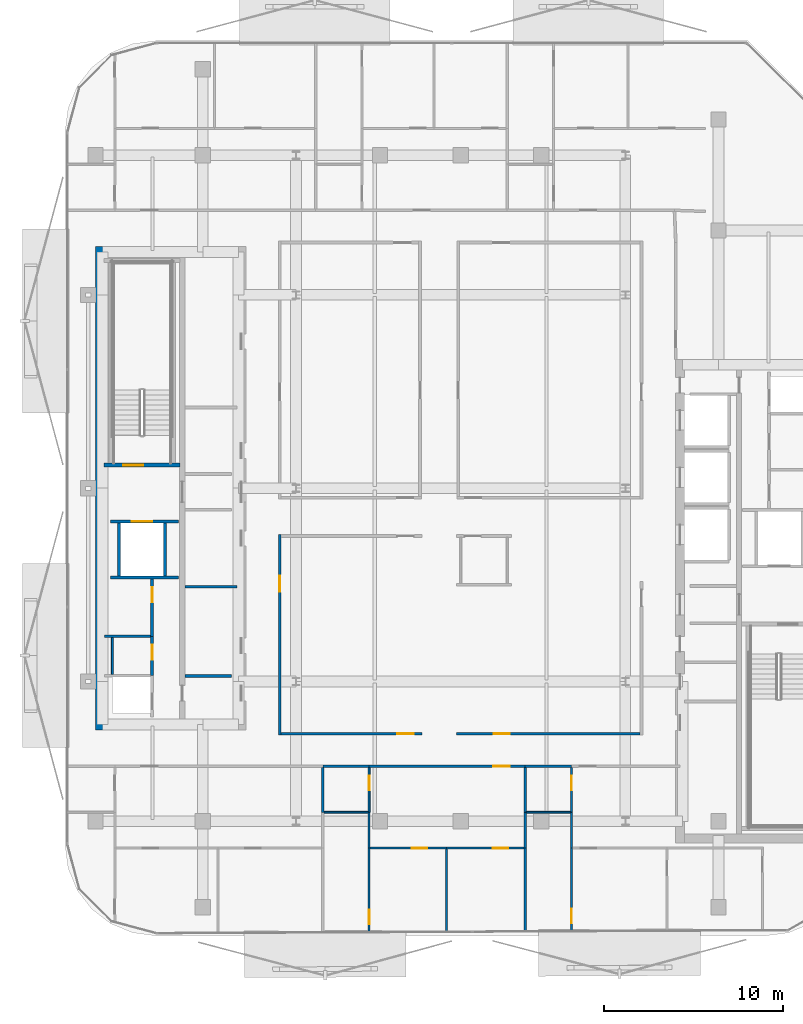
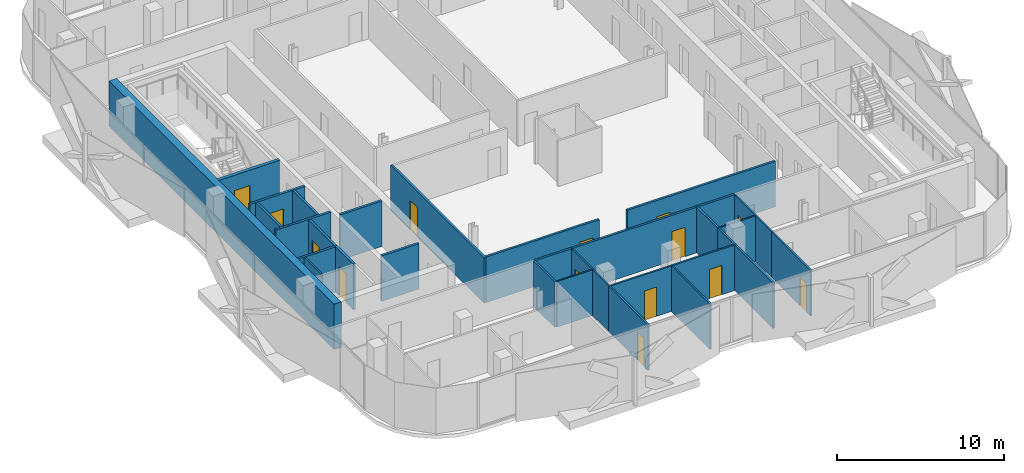
# One storey, part 3 of 16: 33 walls, 14 doors, 14 openings.
"""IFC4 building model written with IfcOpenShell, lengths in metres."""

from ifc_helpers import new_model, si_unit, direction, frame, frame_2d, origin, place, context, subcontext, project, spatial, rectangle, extrude, material, layer, layer_set, type_object, element, fill, save


model = new_model("IFC4")

# Units and contexts
model_context = context("Model", 3, precision=1e-05, world=origin(), true_north=direction((0.0, 1.0)))
body_context = subcontext(model_context, "Body", "Model", "MODEL_VIEW")
ifc_project = project(units=[si_unit("LENGTHUNIT", "METRE"), si_unit("AREAUNIT", "SQUARE_METRE"), si_unit("VOLUMEUNIT", "CUBIC_METRE"), si_unit("PLANEANGLEUNIT", "RADIAN"), si_unit("MASSUNIT", "GRAM", prefix="KILO")], contexts=[model_context])

# Site, building, storey
site_placement = place(None, origin())
site = spatial("IfcSite", under=ifc_project, at=site_placement, CompositionType="ELEMENT")
building_placement = place(site_placement, origin())
building = spatial("IfcBuilding", under=site, at=building_placement, Name="Khairoan Windgate Tower", CompositionType="ELEMENT")
storey_placement = place(building_placement, frame((0.0, 0.0, 247.60009765625)))
storey = spatial("IfcBuildingStorey", under=building, at=storey_placement, Name="L58", CompositionType="ELEMENT", Elevation=247.60009765625)

# Wall
ifc_material_1 = material(Name="Moisture-Resistant Gypsum Partition", Category="gypsum")
ifc_layer_1 = layer(ifc_material_1, 0.10009765625, Name="Moisture-Resistant Gypsum Partition")
ifc_layer_set_1 = layer_set([ifc_layer_1], Name="Moisture-Resistant Gypsum Partition")
wall_type_1 = type_object("IfcWallType", Name="Bathroom Wet-Area Partition Wall", PredefinedType="PARTITIONING", material=ifc_layer_set_1)
wall_1_placement = place(storey_placement, frame((-7.6298828125, -18.10009765625, 0.0), z_axis=(0.0, 0.0, 1.0), x_axis=(1.0, 0.0, 0.0)))
element("IfcWall", 1, at=wall_1_placement, inside=storey, type_object=wall_type_1, Name="L58 Interior Partition 081", PredefinedType="PARTITIONING", context=body_context, shape_type="SweptSolid", body=[
    extrude(rectangle(XDim=2.469970703125, YDim=0.10009765625, at=frame_2d((1.23486328125, 0.0))), origin(), (0.0, 0.0, 1.0), 3.33984375),
])

# Wall, opening, door
wall_2_placement = place(storey_placement, frame((-5.110107421875, -18.10009765625, 0.0), z_axis=(0.0, 0.0, 1.0), x_axis=(0.0, 1.0, 0.0)))
wall_2 = element("IfcWall", 2, at=wall_2_placement, inside=storey, type_object=wall_type_1, Name="L58 Interior Partition 082", PredefinedType="PARTITIONING", context=body_context, shape_type="SweptSolid", body=[
    extrude(rectangle(XDim=2.5, YDim=0.10009765625, at=frame_2d((1.25, 0.0))), origin(), (0.0, 0.0, 1.0), 3.33984375),
])
opening_1_placement = place(wall_2_placement, frame((1.239990234375, 0.0, 0.0)))
opening_1 = element("IfcOpeningElement", 3, at=opening_1_placement, cuts=wall_2, Name="Opening ID-BTH", PredefinedType="OPENING", context=body_context, shape_type="SweptSolid", body=[
    extrude(rectangle(XDim=0.800048828125, YDim=2.10009765625, at=frame_2d((0.39990234375, 1.050048828125))), frame((0.0, 0.06005859375, 0.0), z_axis=(0.0, -1.0, 0.0), x_axis=(1.0, 0.0, 0.0)), (0.0, 0.0, 1.0), 0.1201171875),
])
ifc_material_2 = material(Name="Teak Veneer Timber Leaf", Category="wood")
door_type_1 = type_object("IfcDoorType", Name="Internal Bathroom Door ID-BTH 800x2100", OperationType="NOTDEFINED", PredefinedType="DOOR", material=ifc_material_2)
door_1_placement = place(opening_1_placement, origin())
door_1 = element("IfcDoor", 4, at=door_1_placement, inside=storey, type_object=door_type_1, Name="L58 L58-55-L58-57 Door", OperationType="SINGLE_SWING_RIGHT", OverallHeight=2.10009765625, OverallWidth=0.800048828125, PredefinedType="DOOR", context=body_context, shape_type="SweptSolid", body=[
    extrude(rectangle(XDim=0.800048828125, YDim=2.10009765625, at=frame_2d((0.39990234375, 1.050048828125))), frame((0.0, 0.02490234375, 0.0), z_axis=(0.0, -1.0, 0.0), x_axis=(1.0, 0.0, 0.0)), (0.0, 0.0, 1.0), 0.050048828125),
])
fill(opening_1, door_1)

# Wall
wall_3_placement = place(storey_placement, frame((3.669921875, -18.10009765625, 0.0), z_axis=(0.0, 0.0, 1.0), x_axis=(1.0, 0.0, 0.0)))
element("IfcWall", 5, at=wall_3_placement, inside=storey, type_object=wall_type_1, Name="L58 Interior Partition 091", PredefinedType="PARTITIONING", context=body_context, shape_type="SweptSolid", body=[
    extrude(rectangle(XDim=2.469970703125, YDim=0.10009765625, at=frame_2d((1.23486328125, 0.0))), origin(), (0.0, 0.0, 1.0), 3.33984375),
])

# Wall, opening, door
wall_4_placement = place(storey_placement, frame((6.18994140625, -18.10009765625, 0.0), z_axis=(0.0, 0.0, 1.0), x_axis=(0.0, 1.0, 0.0)))
wall_4 = element("IfcWall", 6, at=wall_4_placement, inside=storey, type_object=wall_type_1, Name="L58 Interior Partition 092", PredefinedType="PARTITIONING", context=body_context, shape_type="SweptSolid", body=[
    extrude(rectangle(XDim=2.5, YDim=0.10009765625, at=frame_2d((1.25, 0.0))), origin(), (0.0, 0.0, 1.0), 3.33984375),
])
opening_2_placement = place(wall_4_placement, frame((1.239990234375, 0.0, 0.0)))
opening_2 = element("IfcOpeningElement", 7, at=opening_2_placement, cuts=wall_4, Name="Opening ID-BTH", PredefinedType="OPENING", context=body_context, shape_type="SweptSolid", body=[
    extrude(rectangle(XDim=0.800048828125, YDim=2.10009765625, at=frame_2d((0.39990234375, 1.050048828125))), frame((0.0, 0.06005859375, 0.0), z_axis=(0.0, -1.0, 0.0), x_axis=(1.0, 0.0, 0.0)), (0.0, 0.0, 1.0), 0.1201171875),
])
door_2_placement = place(opening_2_placement, origin())
door_2 = element("IfcDoor", 8, at=door_2_placement, inside=storey, type_object=door_type_1, Name="L58 L58-60-L58-62 Door", OperationType="SINGLE_SWING_RIGHT", OverallHeight=2.10009765625, OverallWidth=0.800048828125, PredefinedType="DOOR", context=body_context, shape_type="SweptSolid", body=[
    extrude(rectangle(XDim=0.800048828125, YDim=2.10009765625, at=frame_2d((0.39990234375, 1.050048828125))), frame((0.0, 0.02490234375, 0.0), z_axis=(0.0, -1.0, 0.0), x_axis=(1.0, 0.0, 0.0)), (0.0, 0.0, 1.0), 0.050048828125),
])
fill(opening_2, door_2)

# Wall
wall_5_placement = place(storey_placement, frame((-19.449951171875, -10.389892578125, 0.0), z_axis=(0.0, 0.0, 1.0), x_axis=(0.0, 1.0, 0.0)))
element("IfcWall", 9, at=wall_5_placement, inside=storey, type_object=wall_type_1, Name="L58 Wet Room Side Wall 100", PredefinedType="PARTITIONING", context=body_context, shape_type="SweptSolid", body=[
    extrude(rectangle(XDim=2.039794921875, YDim=0.10009765625, at=frame_2d((1.02001953125, 0.0))), origin(), (0.0, 0.0, 1.0), 3.33984375),
])

# Wall, opening, door
ifc_material_3 = material(Name="Concrete C40/50", Category="concrete")
ifc_layer_2 = layer(ifc_material_3, 0.159912109375, Name="Concrete C40/50")
ifc_layer_set_2 = layer_set([ifc_layer_2], Name="Concrete C40/50")
wall_type_2 = type_object("IfcWallType", Name="Core and Hoistway Enclosure Wall", PredefinedType="STANDARD", material=ifc_layer_set_2)
wall_6_placement = place(storey_placement, frame((-19.550048828125, -1.860107421875, 0.0), z_axis=(0.0, 0.0, 1.0), x_axis=(1.0, 0.0, 0.0)))
wall_6 = element("IfcWall", 10, at=wall_6_placement, inside=storey, type_object=wall_type_2, Name="L58 Core Shaft Wall SW-FL2-L58", PredefinedType="STANDARD", context=body_context, shape_type="SweptSolid", body=[
    extrude(rectangle(XDim=3.800048828125, YDim=0.159912109375, at=frame_2d((1.89990234375, 0.0))), origin(), (0.0, 0.0, 1.0), 3.33984375),
])
opening_3_placement = place(wall_6_placement, frame((1.179931640625, 0.0, 0.0)))
opening_3 = element("IfcOpeningElement", 11, at=opening_3_placement, cuts=wall_6, Name="Opening LD-FL", PredefinedType="OPENING", context=body_context, shape_type="SweptSolid", body=[
    extrude(rectangle(XDim=1.14990234375, YDim=2.199951171875, at=frame_2d((0.574951171875, 1.10009765625))), frame((0.0, 0.08984375, 0.0), z_axis=(0.0, -1.0, 0.0), x_axis=(1.0, 0.0, 0.0)), (0.0, 0.0, 1.0), 0.179931640625),
])
ifc_material_4 = material(Name="Steel S355", Category="steel")
door_type_2 = type_object("IfcDoorType", Name="Firefighting Lift Sliding Landing Door LD-FL 1150x2200", OperationType="DOUBLE_DOOR_SLIDING", PredefinedType="DOOR", material=ifc_material_4)
door_3_placement = place(opening_3_placement, origin())
door_3 = element("IfcDoor", 12, at=door_3_placement, inside=storey, type_object=door_type_2, Name="L58 Firefighting Lift FL2 Landing Door", OperationType="DOUBLE_DOOR_SLIDING", OverallHeight=2.199951171875, OverallWidth=1.14990234375, PredefinedType="DOOR", context=body_context, shape_type="SweptSolid", body=[
    extrude(rectangle(XDim=1.14990234375, YDim=2.199951171875, at=frame_2d((0.574951171875, 1.10009765625))), frame((0.0, 0.02490234375, 0.0), z_axis=(0.0, -1.0, 0.0), x_axis=(1.0, 0.0, 0.0)), (0.0, 0.0, 1.0), 0.050048828125),
])
fill(opening_3, door_3)

# Walls
wall_7_placement = place(storey_placement, frame((-19.550048828125, -4.97998046875, 0.0), z_axis=(0.0, 0.0, 1.0), x_axis=(1.0, 0.0, 0.0)))
element("IfcWall", 13, at=wall_7_placement, inside=storey, type_object=wall_type_2, Name="L58 Core Shaft Wall SW-FL2B-L58", PredefinedType="STANDARD", context=body_context, shape_type="SweptSolid", body=[
    extrude(rectangle(XDim=3.800048828125, YDim=0.159912109375, at=frame_2d((1.89990234375, 0.0))), origin(), (0.0, 0.0, 1.0), 3.33984375),
])
for number, where, z_axis, x_axis, name in (
    (14, (-19.080078125, -4.89990234375, 0.0), (0.0, 0.0, 1.0), (0.0, 1.0, 0.0), "L58 Core Shaft Wall SW-FL2W-L58"),
    (15, (-16.52001953125, -4.89990234375, 0.0), (0.0, 0.0, 1.0), (0.0, 1.0, 0.0), "L58 Core Shaft Wall SW-FL2E-L58"),
):
    element("IfcWall", number, at=place(storey_placement, frame(where, z_axis=z_axis, x_axis=x_axis)), inside=storey, type_object=wall_type_2, Name=name, PredefinedType="STANDARD", context=body_context, shape_type="SweptSolid", body=[
        extrude(rectangle(XDim=2.9599609375, YDim=0.159912109375, at=frame_2d((1.47998046875, 0.0))), origin(), (0.0, 0.0, 1.0), 3.33984375),
    ])
wall_8_placement = place(storey_placement, frame((-15.39990234375, -10.47998046875, 0.0), z_axis=(0.0, 0.0, 1.0), x_axis=(1.0, 0.0, 0.0)))
element("IfcWall", 16, at=wall_8_placement, inside=storey, type_object=wall_type_2, Name="L58 Core Shaft Wall SW-WSV-L58", PredefinedType="STANDARD", context=body_context, shape_type="SweptSolid", body=[
    extrude(rectangle(XDim=2.599853515625, YDim=0.159912109375, at=frame_2d((1.2998046875, 0.0))), origin(), (0.0, 0.0, 1.0), 3.33984375),
])
ifc_material_5 = material(Name="Acoustic Fire-Rated Gypsum Partition", Category="gypsum")
ifc_layer_3 = layer(ifc_material_5, 0.139892578125, Name="Acoustic Fire-Rated Gypsum Partition")
ifc_layer_set_3 = layer_set([ifc_layer_3], Name="Acoustic Fire-Rated Gypsum Partition")
wall_type_3 = type_object("IfcWallType", Name="Inter-Tenancy Compartment Wall", PredefinedType="PARTITIONING", material=ifc_layer_set_3)
for number, where, z_axis, x_axis, name in (
    (17, (-7.699951171875, -18.10009765625, 0.0), (0.0, 0.0, 1.0), (0.0, 1.0, 0.0), "L58 Interior Partition 077"),
    (18, (3.60009765625, -18.10009765625, 0.0), (0.0, 0.0, 1.0), (0.0, 1.0, 0.0), "L58 Interior Partition 087"),
):
    element("IfcWall", number, at=place(storey_placement, frame(where, z_axis=z_axis, x_axis=x_axis)), inside=storey, type_object=wall_type_3, Name=name, PredefinedType="PARTITIONING", context=body_context, shape_type="SweptSolid", body=[
        extrude(rectangle(XDim=2.5, YDim=0.139892578125, at=frame_2d((1.25, 0.0))), origin(), (0.0, 0.0, 1.0), 3.33984375),
    ])
wall_9_placement = place(storey_placement, frame((3.60009765625, -20.10009765625, 0.0), z_axis=(0.0, 0.0, 1.0), x_axis=(0.0, 1.0, 0.0)))
element("IfcWall", 19, at=wall_9_placement, inside=storey, type_object=wall_type_3, Name="L58 Interior Partition 088", PredefinedType="PARTITIONING", context=body_context, shape_type="SweptSolid", body=[
    extrude(rectangle(XDim=2.0, YDim=0.139892578125, at=frame_2d((1.0, 0.0))), origin(), (0.0, 0.0, 1.0), 3.33984375),
])
wall_10_placement = place(storey_placement, frame((3.60009765625, -24.755615234375, 0.0), z_axis=(0.0, 0.0, 1.0), x_axis=(0.0, 1.0, 0.0)))
element("IfcWall", 20, at=wall_10_placement, inside=storey, type_object=wall_type_3, Name="L58 Interior Partition 090", PredefinedType="PARTITIONING", context=body_context, shape_type="SweptSolid", body=[
    extrude(rectangle(XDim=4.655517578125, YDim=0.139892578125, at=frame_2d((2.32763671875, 0.0))), origin(), (0.0, 0.0, 1.0), 3.33984375),
])
ifc_material_6 = material(Name="Gypsum Stud Partition", Category="gypsum")
ifc_layer_4 = layer(ifc_material_6, 0.1201171875, Name="Gypsum Stud Partition")
ifc_layer_set_4 = layer_set([ifc_layer_4], Name="Gypsum Stud Partition")
wall_type_4 = type_object("IfcWallType", Name="Internal Room Partition Wall", PredefinedType="PARTITIONING", material=ifc_layer_set_4)
wall_11_placement = place(storey_placement, frame((-5.110107421875, -20.10009765625, 0.0), z_axis=(0.0, 0.0, 1.0), x_axis=(0.0, 1.0, 0.0)))
element("IfcWall", 21, at=wall_11_placement, inside=storey, type_object=wall_type_4, Name="L58 Interior Partition 083", PredefinedType="PARTITIONING", context=body_context, shape_type="SweptSolid", body=[
    extrude(rectangle(XDim=2.0, YDim=0.1201171875, at=frame_2d((1.0, 0.0))), origin(), (0.0, 0.0, 1.0), 3.33984375),
])

# Wall, opening, door
wall_12_placement = place(storey_placement, frame((-5.110107421875, -24.797607421875, 0.0), z_axis=(0.0, 0.0, 1.0), x_axis=(0.0, 1.0, 0.0)))
wall_12 = element("IfcWall", 22, at=wall_12_placement, inside=storey, type_object=wall_type_4, Name="L58 Interior Partition 084", PredefinedType="PARTITIONING", context=body_context, shape_type="SweptSolid", body=[
    extrude(rectangle(XDim=4.697509765625, YDim=0.1201171875, at=frame_2d((2.3486328125, 0.0))), origin(), (0.0, 0.0, 1.0), 3.33984375),
])
opening_4_placement = place(wall_12_placement, frame((0.4599609375, 0.0, 0.0)))
opening_4 = element("IfcOpeningElement", 23, at=opening_4_placement, cuts=wall_12, Name="Opening ID-BTH", PredefinedType="OPENING", context=body_context, shape_type="SweptSolid", body=[
    extrude(rectangle(XDim=0.800048828125, YDim=2.10009765625, at=frame_2d((0.39990234375, 1.050048828125))), frame((0.0, 0.070068359375, 0.0), z_axis=(0.0, -1.0, 0.0), x_axis=(1.0, 0.0, 0.0)), (0.0, 0.0, 1.0), 0.14013671875),
])
door_4_placement = place(opening_4_placement, origin())
door_4 = element("IfcDoor", 24, at=door_4_placement, inside=storey, type_object=door_type_1, Name="L58 L58-56-L58-58 Door", OperationType="SINGLE_SWING_RIGHT", OverallHeight=2.10009765625, OverallWidth=0.800048828125, PredefinedType="DOOR", context=body_context, shape_type="SweptSolid", body=[
    extrude(rectangle(XDim=0.800048828125, YDim=2.10009765625, at=frame_2d((0.39990234375, 1.050048828125))), frame((0.0, 0.02490234375, 0.0), z_axis=(0.0, -1.0, 0.0), x_axis=(1.0, 0.0, 0.0)), (0.0, 0.0, 1.0), 0.050048828125),
])
fill(opening_4, door_4)

wall_13_placement = place(storey_placement, frame((-5.050048828125, -20.10009765625, 0.0), z_axis=(0.0, 0.0, 1.0), x_axis=(1.0, 0.0, 0.0)))
wall_13 = element("IfcWall", 25, at=wall_13_placement, inside=storey, type_object=wall_type_4, Name="L58 Interior Partition 085", PredefinedType="PARTITIONING", context=body_context, shape_type="SweptSolid", body=[
    extrude(rectangle(XDim=4.255126953125, YDim=0.1201171875, at=frame_2d((2.12744140625, 0.0))), origin(), (0.0, 0.0, 1.0), 3.33984375),
])
opening_5_placement = place(wall_13_placement, frame((2.31640625, 0.0, 0.0)))
opening_5 = element("IfcOpeningElement", 26, at=opening_5_placement, cuts=wall_13, Name="Opening ID-RM", PredefinedType="OPENING", context=body_context, shape_type="SweptSolid", body=[
    extrude(rectangle(XDim=0.860107421875, YDim=2.14990234375, at=frame_2d((0.43017578125, 1.074951171875))), frame((0.0, 0.070068359375, 0.0), z_axis=(0.0, -1.0, 0.0), x_axis=(1.0, 0.0, 0.0)), (0.0, 0.0, 1.0), 0.14013671875),
])
ifc_material_7 = material(Name="Teak Veneer Timber Leaf", Category="wood")
door_type_3 = type_object("IfcDoorType", Name="Internal Bedroom and Office Door ID-RM 860x2150", OperationType="NOTDEFINED", PredefinedType="DOOR", material=ifc_material_7)
door_5_placement = place(opening_5_placement, origin())
door_5 = element("IfcDoor", 27, at=door_5_placement, inside=storey, type_object=door_type_3, Name="L58 L58-57-L58-58 Door", OperationType="SINGLE_SWING_RIGHT", OverallHeight=2.14990234375, OverallWidth=0.860107421875, PredefinedType="DOOR", context=body_context, shape_type="SweptSolid", body=[
    extrude(rectangle(XDim=0.860107421875, YDim=2.14990234375, at=frame_2d((0.43017578125, 1.074951171875))), frame((0.0, 0.02490234375, 0.0), z_axis=(0.0, -1.0, 0.0), x_axis=(1.0, 0.0, 0.0)), (0.0, 0.0, 1.0), 0.050048828125),
])
fill(opening_5, door_5)

wall_14_placement = place(storey_placement, frame((-0.794921875, -20.10009765625, 0.0), z_axis=(0.0, 0.0, 1.0), x_axis=(1.0, 0.0, 0.0)))
wall_14 = element("IfcWall", 28, at=wall_14_placement, inside=storey, type_object=wall_type_4, Name="L58 Interior Partition 086", PredefinedType="PARTITIONING", context=body_context, shape_type="SweptSolid", body=[
    extrude(rectangle(XDim=4.324951171875, YDim=0.1201171875, at=frame_2d((2.16259765625, 0.0))), origin(), (0.0, 0.0, 1.0), 3.33984375),
])
opening_6_placement = place(wall_14_placement, frame((2.580810546875, 0.0, 0.0)))
opening_6 = element("IfcOpeningElement", 29, at=opening_6_placement, cuts=wall_14, Name="Opening ID-RM", PredefinedType="OPENING", context=body_context, shape_type="SweptSolid", body=[
    extrude(rectangle(XDim=0.860107421875, YDim=2.14990234375, at=frame_2d((0.43017578125, 1.074951171875))), frame((0.0, 0.070068359375, 0.0), z_axis=(0.0, -1.0, 0.0), x_axis=(1.0, 0.0, 0.0)), (0.0, 0.0, 1.0), 0.14013671875),
])
door_6_placement = place(opening_6_placement, origin())
door_6 = element("IfcDoor", 30, at=door_6_placement, inside=storey, type_object=door_type_3, Name="L58 L58-57-L58-59 Door", OperationType="SINGLE_SWING_LEFT", OverallHeight=2.14990234375, OverallWidth=0.860107421875, PredefinedType="DOOR", context=body_context, shape_type="SweptSolid", body=[
    extrude(rectangle(XDim=0.860107421875, YDim=2.14990234375, at=frame_2d((0.43017578125, 1.074951171875))), frame((0.0, 0.02490234375, 0.0), z_axis=(0.0, -1.0, 0.0), x_axis=(1.0, 0.0, 0.0)), (0.0, 0.0, 1.0), 0.050048828125),
])
fill(opening_6, door_6)

# Walls
wall_15_placement = place(storey_placement, frame((-0.794921875, -24.77685546875, 0.0), z_axis=(0.0, 0.0, 1.0), x_axis=(0.0, 1.0, 0.0)))
element("IfcWall", 31, at=wall_15_placement, inside=storey, type_object=wall_type_4, Name="L58 Interior Partition 089", PredefinedType="PARTITIONING", context=body_context, shape_type="SweptSolid", body=[
    extrude(rectangle(XDim=4.616943359375, YDim=0.1201171875, at=frame_2d((2.30859375, 0.0))), origin(), (0.0, 0.0, 1.0), 3.33984375),
])
wall_16_placement = place(storey_placement, frame((6.18994140625, -20.10009765625, 0.0), z_axis=(0.0, 0.0, 1.0), x_axis=(0.0, 1.0, 0.0)))
element("IfcWall", 32, at=wall_16_placement, inside=storey, type_object=wall_type_4, Name="L58 Interior Partition 093", PredefinedType="PARTITIONING", context=body_context, shape_type="SweptSolid", body=[
    extrude(rectangle(XDim=2.0, YDim=0.1201171875, at=frame_2d((1.0, 0.0))), origin(), (0.0, 0.0, 1.0), 3.33984375),
])

# Wall, opening, door
wall_17_placement = place(storey_placement, frame((6.18994140625, -24.7431640625, 0.0), z_axis=(0.0, 0.0, 1.0), x_axis=(0.0, 1.0, 0.0)))
wall_17 = element("IfcWall", 33, at=wall_17_placement, inside=storey, type_object=wall_type_4, Name="L58 Interior Partition 094", PredefinedType="PARTITIONING", context=body_context, shape_type="SweptSolid", body=[
    extrude(rectangle(XDim=4.64306640625, YDim=0.1201171875, at=frame_2d((2.321533203125, 0.0))), origin(), (0.0, 0.0, 1.0), 3.33984375),
])
opening_7_placement = place(wall_17_placement, frame((0.4599609375, 0.0, 0.0)))
opening_7 = element("IfcOpeningElement", 34, at=opening_7_placement, cuts=wall_17, Name="Opening ID-BTH", PredefinedType="OPENING", context=body_context, shape_type="SweptSolid", body=[
    extrude(rectangle(XDim=0.800048828125, YDim=2.10009765625, at=frame_2d((0.39990234375, 1.050048828125))), frame((0.0, 0.070068359375, 0.0), z_axis=(0.0, -1.0, 0.0), x_axis=(1.0, 0.0, 0.0)), (0.0, 0.0, 1.0), 0.14013671875),
])
door_7_placement = place(opening_7_placement, origin())
door_7 = element("IfcDoor", 35, at=door_7_placement, inside=storey, type_object=door_type_1, Name="L58 L58-61-L58-64 Door", OperationType="SINGLE_SWING_LEFT", OverallHeight=2.10009765625, OverallWidth=0.800048828125, PredefinedType="DOOR", context=body_context, shape_type="SweptSolid", body=[
    extrude(rectangle(XDim=0.800048828125, YDim=2.10009765625, at=frame_2d((0.39990234375, 1.050048828125))), frame((0.0, 0.02490234375, 0.0), z_axis=(0.0, -1.0, 0.0), x_axis=(1.0, 0.0, 0.0)), (0.0, 0.0, 1.0), 0.050048828125),
])
fill(opening_7, door_7)

ifc_material_8 = material(Name="Concrete C40/50", Category="concrete")
ifc_layer_5 = layer(ifc_material_8, 0.159912109375, Name="Concrete C40/50")
ifc_layer_set_5 = layer_set([ifc_layer_5], Name="Concrete C40/50")
wall_type_5 = type_object("IfcWallType", Name="Plant and Refuge Compartment Wall", PredefinedType="PARTITIONING", material=ifc_layer_set_5)
wall_18_placement = place(storey_placement, frame((-17.22998046875, -10.469970703125, 0.0), z_axis=(0.0, 0.0, 1.0), x_axis=(0.0, 1.0, 0.0)))
wall_18 = element("IfcWall", 36, at=wall_18_placement, inside=storey, type_object=wall_type_5, Name="L58 Interior Partition 002", PredefinedType="PARTITIONING", context=body_context, shape_type="SweptSolid", body=[
    extrude(rectangle(XDim=2.199951171875, YDim=0.159912109375, at=frame_2d((1.10009765625, 0.0))), origin(), (0.0, 0.0, 1.0), 3.33984375),
])
opening_8_placement = place(wall_18_placement, frame((0.889892578125, 0.0, 0.0)))
opening_8 = element("IfcOpeningElement", 37, at=opening_8_placement, cuts=wall_18, Name="Opening FD-SRV", PredefinedType="OPENING", context=body_context, shape_type="SweptSolid", body=[
    extrude(rectangle(XDim=0.85009765625, YDim=2.10009765625, at=frame_2d((0.425048828125, 1.050048828125))), frame((0.0, 0.08984375, 0.0), z_axis=(0.0, -1.0, 0.0), x_axis=(1.0, 0.0, 0.0)), (0.0, 0.0, 1.0), 0.179931640625),
])
ifc_material_9 = material(Name="Steel S355", Category="steel")
door_type_4 = type_object("IfcDoorType", Name="Core Service and Riser Fire Door FD-SRV 850x2100", OperationType="NOTDEFINED", PredefinedType="DOOR", material=ifc_material_9)
door_8_placement = place(opening_8_placement, origin())
door_8 = element("IfcDoor", 38, at=door_8_placement, inside=storey, type_object=door_type_4, Name="L58 L58-04-L58-06 Door", OperationType="SINGLE_SWING_LEFT", OverallHeight=2.10009765625, OverallWidth=0.85009765625, PredefinedType="DOOR", context=body_context, shape_type="SweptSolid", body=[
    extrude(rectangle(XDim=0.85009765625, YDim=2.10009765625, at=frame_2d((0.425048828125, 1.050048828125))), frame((0.0, 0.02490234375, 0.0), z_axis=(0.0, -1.0, 0.0), x_axis=(1.0, 0.0, 0.0)), (0.0, 0.0, 1.0), 0.050048828125),
])
fill(opening_8, door_8)

wall_19_placement = place(storey_placement, frame((-17.22998046875, -8.27001953125, 0.0), z_axis=(0.0, 0.0, 1.0), x_axis=(0.0, 1.0, 0.0)))
wall_19 = element("IfcWall", 39, at=wall_19_placement, inside=storey, type_object=wall_type_5, Name="L58 Interior Partition 003", PredefinedType="PARTITIONING", context=body_context, shape_type="SweptSolid", body=[
    extrude(rectangle(XDim=3.2099609375, YDim=0.159912109375, at=frame_2d((1.60498046875, 0.0))), origin(), (0.0, 0.0, 1.0), 3.33984375),
])
opening_9_placement = place(wall_19_placement, frame((1.89990234375, 0.0, 0.0)))
opening_9 = element("IfcOpeningElement", 40, at=opening_9_placement, cuts=wall_19, Name="Opening FD-SRV", PredefinedType="OPENING", context=body_context, shape_type="SweptSolid", body=[
    extrude(rectangle(XDim=0.85009765625, YDim=2.10009765625, at=frame_2d((0.425048828125, 1.050048828125))), frame((0.0, 0.08984375, 0.0), z_axis=(0.0, -1.0, 0.0), x_axis=(1.0, 0.0, 0.0)), (0.0, 0.0, 1.0), 0.179931640625),
])
door_9_placement = place(opening_9_placement, origin())
door_9 = element("IfcDoor", 41, at=door_9_placement, inside=storey, type_object=door_type_4, Name="L58 L58-04-L58-07 Door", OperationType="SINGLE_SWING_RIGHT", OverallHeight=2.10009765625, OverallWidth=0.85009765625, PredefinedType="DOOR", context=body_context, shape_type="SweptSolid", body=[
    extrude(rectangle(XDim=0.85009765625, YDim=2.10009765625, at=frame_2d((0.425048828125, 1.050048828125))), frame((0.0, 0.02490234375, 0.0), z_axis=(0.0, -1.0, 0.0), x_axis=(1.0, 0.0, 0.0)), (0.0, 0.0, 1.0), 0.050048828125),
])
fill(opening_9, door_9)

# Walls
wall_20_placement = place(storey_placement, frame((-19.89990234375, -8.27001953125, 0.0), z_axis=(0.0, 0.0, 1.0), x_axis=(1.0, 0.0, 0.0)))
element("IfcWall", 42, at=wall_20_placement, inside=storey, type_object=wall_type_5, Name="L58 Interior Partition 005", PredefinedType="PARTITIONING", context=body_context, shape_type="SweptSolid", body=[
    extrude(rectangle(XDim=2.58984375, YDim=0.159912109375, at=frame_2d((1.294921875, 0.0))), origin(), (0.0, 0.0, 1.0), 3.33984375),
])
wall_21_placement = place(storey_placement, frame((-15.39990234375, -5.5, 0.0), z_axis=(0.0, 0.0, 1.0), x_axis=(1.0, 0.0, 0.0)))
element("IfcWall", 43, at=wall_21_placement, inside=storey, type_object=wall_type_5, Name="L58 Interior Partition 007", PredefinedType="PARTITIONING", context=body_context, shape_type="SweptSolid", body=[
    extrude(rectangle(XDim=2.89990234375, YDim=0.159912109375, at=frame_2d((1.449951171875, 0.0))), origin(), (0.0, 0.0, 1.0), 3.33984375),
])

# Wall, opening, door
ifc_material_10 = material(Name="Acoustic Fire-Rated Gypsum Partition", Category="gypsum")
ifc_layer_6 = layer(ifc_material_10, 0.14990234375, Name="Acoustic Fire-Rated Gypsum Partition")
ifc_layer_set_6 = layer_set([ifc_layer_6], Name="Acoustic Fire-Rated Gypsum Partition")
wall_type_6 = type_object("IfcWallType", Name="Rated Corridor Partition Wall", PredefinedType="PARTITIONING", material=ifc_layer_set_6)
wall_22_placement = place(storey_placement, frame((-10.10009765625, -13.794921875, 0.0), z_axis=(0.0, 0.0, 1.0), x_axis=(0.0, 1.0, 0.0)))
wall_22 = element("IfcWall", 44, at=wall_22_placement, inside=storey, type_object=wall_type_6, Name="L58 Interior Partition 016", PredefinedType="PARTITIONING", context=body_context, shape_type="SweptSolid", body=[
    extrude(rectangle(XDim=11.204833984375, YDim=0.14990234375, at=frame_2d((5.6025390625, 0.0))), origin(), (0.0, 0.0, 1.0), 3.33984375),
])
opening_10_placement = place(wall_22_placement, frame((8.0087890625, 0.0, 0.0)))
opening_10 = element("IfcOpeningElement", 45, at=opening_10_placement, cuts=wall_22, Name="Opening FD-ENT", PredefinedType="OPENING", context=body_context, shape_type="SweptSolid", body=[
    extrude(rectangle(XDim=0.89990234375, YDim=2.14990234375, at=frame_2d((0.449951171875, 1.074951171875))), frame((0.0, 0.0849609375, 0.0), z_axis=(0.0, -1.0, 0.0), x_axis=(1.0, 0.0, 0.0)), (0.0, 0.0, 1.0), 0.169921875),
])
ifc_material_11 = material(Name="Timber Fire-Rated Core", Category="wood")
door_type_5 = type_object("IfcDoorType", Name="Unit and Office Fire Entrance Door FD-ENT 900x2150", OperationType="NOTDEFINED", PredefinedType="DOOR", material=ifc_material_11)
door_10_placement = place(opening_10_placement, origin())
door_10 = element("IfcDoor", 46, at=door_10_placement, inside=storey, type_object=door_type_5, Name="L58 L58-29-L58-68 Door", OperationType="SINGLE_SWING_LEFT", OverallHeight=2.14990234375, OverallWidth=0.89990234375, PredefinedType="DOOR", context=body_context, shape_type="SweptSolid", body=[
    extrude(rectangle(XDim=0.89990234375, YDim=2.14990234375, at=frame_2d((0.449951171875, 1.074951171875))), frame((0.0, 0.02490234375, 0.0), z_axis=(0.0, -1.0, 0.0), x_axis=(1.0, 0.0, 0.0)), (0.0, 0.0, 1.0), 0.050048828125),
])
fill(opening_10, door_10)

# Wall
wall_23_placement = place(storey_placement, frame((-7.699951171875, -15.52490234375, 0.0), z_axis=(0.0, 0.0, 1.0), x_axis=(1.0, 0.0, 0.0)))
element("IfcWall", 47, at=wall_23_placement, inside=storey, type_object=wall_type_6, Name="L58 Interior Partition 037", PredefinedType="PARTITIONING", context=body_context, shape_type="SweptSolid", body=[
    extrude(rectangle(XDim=2.58984375, YDim=0.14990234375, at=frame_2d((1.294921875, 0.0))), origin(), (0.0, 0.0, 1.0), 3.33984375),
])

# Wall, opening, door
wall_24_placement = place(storey_placement, frame((-5.110107421875, -15.52490234375, 0.0), z_axis=(0.0, 0.0, 1.0), x_axis=(1.0, 0.0, 0.0)))
wall_24 = element("IfcWall", 48, at=wall_24_placement, inside=storey, type_object=wall_type_6, Name="L58 Interior Partition 038", PredefinedType="PARTITIONING", context=body_context, shape_type="SweptSolid", body=[
    extrude(rectangle(XDim=8.710205078125, YDim=0.14990234375, at=frame_2d((4.35498046875, 0.0))), origin(), (0.0, 0.0, 1.0), 3.33984375),
])
opening_11_placement = place(wall_24_placement, frame((6.944580078125, 0.0, 0.0)))
opening_11 = element("IfcOpeningElement", 49, at=opening_11_placement, cuts=wall_24, Name="Opening FD-ENT", PredefinedType="OPENING", context=body_context, shape_type="SweptSolid", body=[
    extrude(rectangle(XDim=0.89990234375, YDim=2.14990234375, at=frame_2d((0.449951171875, 1.074951171875))), frame((0.0, 0.0849609375, 0.0), z_axis=(0.0, -1.0, 0.0), x_axis=(1.0, 0.0, 0.0)), (0.0, 0.0, 1.0), 0.169921875),
])
door_11_placement = place(opening_11_placement, origin())
door_11 = element("IfcDoor", 50, at=door_11_placement, inside=storey, type_object=door_type_5, Name="L58 L58-34-L58-57 Door", OperationType="SINGLE_SWING_RIGHT", OverallHeight=2.14990234375, OverallWidth=0.89990234375, PredefinedType="DOOR", context=body_context, shape_type="SweptSolid", body=[
    extrude(rectangle(XDim=0.89990234375, YDim=2.14990234375, at=frame_2d((0.449951171875, 1.074951171875))), frame((0.0, 0.02490234375, 0.0), z_axis=(0.0, -1.0, 0.0), x_axis=(1.0, 0.0, 0.0)), (0.0, 0.0, 1.0), 0.050048828125),
])
fill(opening_11, door_11)

# Wall
wall_25_placement = place(storey_placement, frame((3.60009765625, -15.52490234375, 0.0), z_axis=(0.0, 0.0, 1.0), x_axis=(1.0, 0.0, 0.0)))
element("IfcWall", 51, at=wall_25_placement, inside=storey, type_object=wall_type_6, Name="L58 Interior Partition 039", PredefinedType="PARTITIONING", context=body_context, shape_type="SweptSolid", body=[
    extrude(rectangle(XDim=2.58984375, YDim=0.14990234375, at=frame_2d((1.294921875, 0.0))), origin(), (0.0, 0.0, 1.0), 3.33984375),
])

# Wall, opening, door
wall_26_placement = place(storey_placement, frame((-10.02490234375, -13.719970703125, 0.0), z_axis=(0.0, 0.0, 1.0), x_axis=(1.0, 0.0, 0.0)))
wall_26 = element("IfcWall", 52, at=wall_26_placement, inside=storey, type_object=wall_type_6, Name="L58 Interior Partition 041", PredefinedType="PARTITIONING", context=body_context, shape_type="SweptSolid", body=[
    extrude(rectangle(XDim=7.85498046875, YDim=0.14990234375, at=frame_2d((3.927490234375, 0.0))), origin(), (0.0, 0.0, 1.0), 3.33984375),
])
opening_12_placement = place(wall_26_placement, frame((6.4951171875, 0.0, 0.0)))
opening_12 = element("IfcOpeningElement", 53, at=opening_12_placement, cuts=wall_26, Name="Opening FD-ENT", PredefinedType="OPENING", context=body_context, shape_type="SweptSolid", body=[
    extrude(rectangle(XDim=0.89990234375, YDim=2.14990234375, at=frame_2d((0.449951171875, 1.074951171875))), frame((0.0, 0.0849609375, 0.0), z_axis=(0.0, -1.0, 0.0), x_axis=(1.0, 0.0, 0.0)), (0.0, 0.0, 1.0), 0.169921875),
])
door_12_placement = place(opening_12_placement, origin())
door_12 = element("IfcDoor", 54, at=door_12_placement, inside=storey, type_object=door_type_5, Name="L58 L58-34-L58-68 Door", OperationType="SINGLE_SWING_RIGHT", OverallHeight=2.14990234375, OverallWidth=0.89990234375, PredefinedType="DOOR", context=body_context, shape_type="SweptSolid", body=[
    extrude(rectangle(XDim=0.89990234375, YDim=2.14990234375, at=frame_2d((0.449951171875, 1.074951171875))), frame((0.0, 0.02490234375, 0.0), z_axis=(0.0, -1.0, 0.0), x_axis=(1.0, 0.0, 0.0)), (0.0, 0.0, 1.0), 0.050048828125),
])
fill(opening_12, door_12)

wall_27_placement = place(storey_placement, frame((-0.22998046875, -13.719970703125, 0.0), z_axis=(0.0, 0.0, 1.0), x_axis=(1.0, 0.0, 0.0)))
wall_27 = element("IfcWall", 55, at=wall_27_placement, inside=storey, type_object=wall_type_6, Name="L58 Interior Partition 042", PredefinedType="PARTITIONING", context=body_context, shape_type="SweptSolid", body=[
    extrude(rectangle(XDim=10.2548828125, YDim=0.14990234375, at=frame_2d((5.12744140625, 0.0))), origin(), (0.0, 0.0, 1.0), 3.33984375),
])
opening_13_placement = place(wall_27_placement, frame((2.066650390625, 0.0, 0.0)))
opening_13 = element("IfcOpeningElement", 56, at=opening_13_placement, cuts=wall_27, Name="Opening FD-ENT", PredefinedType="OPENING", context=body_context, shape_type="SweptSolid", body=[
    extrude(rectangle(XDim=0.89990234375, YDim=2.14990234375, at=frame_2d((0.449951171875, 1.074951171875))), frame((0.0, 0.0849609375, 0.0), z_axis=(0.0, -1.0, 0.0), x_axis=(1.0, 0.0, 0.0)), (0.0, 0.0, 1.0), 0.169921875),
])
door_13_placement = place(opening_13_placement, origin())
door_13 = element("IfcDoor", 57, at=door_13_placement, inside=storey, type_object=door_type_5, Name="L58 L58-34-L58-71 Door", OperationType="SINGLE_SWING_LEFT", OverallHeight=2.14990234375, OverallWidth=0.89990234375, PredefinedType="DOOR", context=body_context, shape_type="SweptSolid", body=[
    extrude(rectangle(XDim=0.89990234375, YDim=2.14990234375, at=frame_2d((0.449951171875, 1.074951171875))), frame((0.0, 0.02490234375, 0.0), z_axis=(0.0, -1.0, 0.0), x_axis=(1.0, 0.0, 0.0)), (0.0, 0.0, 1.0), 0.050048828125),
])
fill(opening_13, door_13)

# Wall
ifc_material_12 = material(Name="Concrete C50/60", Category="concrete")
ifc_layer_7 = layer(ifc_material_12, 0.5, Name="Concrete C50/60")
ifc_layer_set_7 = layer_set([ifc_layer_7], Name="Concrete C50/60")
wall_type_7 = type_object("IfcWallType", Name="Shear Wall CW-W3 500mm", PredefinedType="SHEAR", material=ifc_layer_set_7)
wall_28_placement = place(storey_placement, frame((-20.14990234375, -13.5, 0.0), z_axis=(0.0, 0.0, 1.0), x_axis=(0.0, 1.0, 0.0)))
element("IfcWall", 58, at=wall_28_placement, inside=storey, type_object=wall_type_7, Name="W Core West Shear Wall L58", PredefinedType="SHEAR", context=body_context, shape_type="SweptSolid", body=[
    extrude(rectangle(XDim=27.0, YDim=0.5, at=frame_2d((13.5, 0.0))), origin(), (0.0, 0.0, 1.0), 3.33984375),
])

# Wall, opening, door
ifc_material_13 = material(Name="Concrete C50/60", Category="concrete")
ifc_layer_8 = layer(ifc_material_13, 0.219970703125, Name="Concrete C50/60")
ifc_layer_set_8 = layer_set([ifc_layer_8], Name="Concrete C50/60")
wall_type_8 = type_object("IfcWallType", Name="Shear Wall SW-ST 220mm", PredefinedType="SHEAR", material=ifc_layer_set_8)
wall_29_placement = place(storey_placement, frame((-19.919921875, 1.2900390625, 0.0), z_axis=(0.0, 0.0, 1.0), x_axis=(1.0, 0.0, 0.0)))
wall_29 = element("IfcWall", 59, at=wall_29_placement, inside=storey, type_object=wall_type_8, Name="L58 Stair ST2 South Bearing Wall", PredefinedType="SHEAR", context=body_context, shape_type="SweptSolid", body=[
    extrude(rectangle(XDim=4.239990234375, YDim=0.219970703125, at=frame_2d((2.1201171875, 0.0))), origin(), (0.0, 0.0, 1.0), 3.33984375),
])
opening_14_placement = place(wall_29_placement, frame((1.080078125, 0.0, 0.0)))
opening_14 = element("IfcOpeningElement", 60, at=opening_14_placement, cuts=wall_29, Name="Opening FD-ST", PredefinedType="OPENING", context=body_context, shape_type="SweptSolid", body=[
    extrude(rectangle(XDim=1.10009765625, YDim=2.199951171875, at=frame_2d((0.550048828125, 1.10009765625))), frame((0.0, 0.119873046875, 0.0), z_axis=(0.0, -1.0, 0.0), x_axis=(1.0, 0.0, 0.0)), (0.0, 0.0, 1.0), 0.239990234375),
])
ifc_material_14 = material(Name="Steel S355", Category="steel")
door_type_6 = type_object("IfcDoorType", Name="Smokeproof Stair Fire Door FD-ST 1100x2200", OperationType="NOTDEFINED", PredefinedType="DOOR", material=ifc_material_14)
door_14_placement = place(opening_14_placement, origin())
door_14 = element("IfcDoor", 61, at=door_14_placement, inside=storey, type_object=door_type_6, Name="L58 Stair ST2 Fire Door", OperationType="SINGLE_SWING_RIGHT", OverallHeight=2.199951171875, OverallWidth=1.10009765625, PredefinedType="DOOR", context=body_context, shape_type="SweptSolid", body=[
    extrude(rectangle(XDim=1.10009765625, YDim=2.199951171875, at=frame_2d((0.550048828125, 1.10009765625))), frame((0.0, 0.02490234375, 0.0), z_axis=(0.0, -1.0, 0.0), x_axis=(1.0, 0.0, 0.0)), (0.0, 0.0, 1.0), 0.050048828125),
])
fill(opening_14, door_14)

save(model, "model.ifc")
